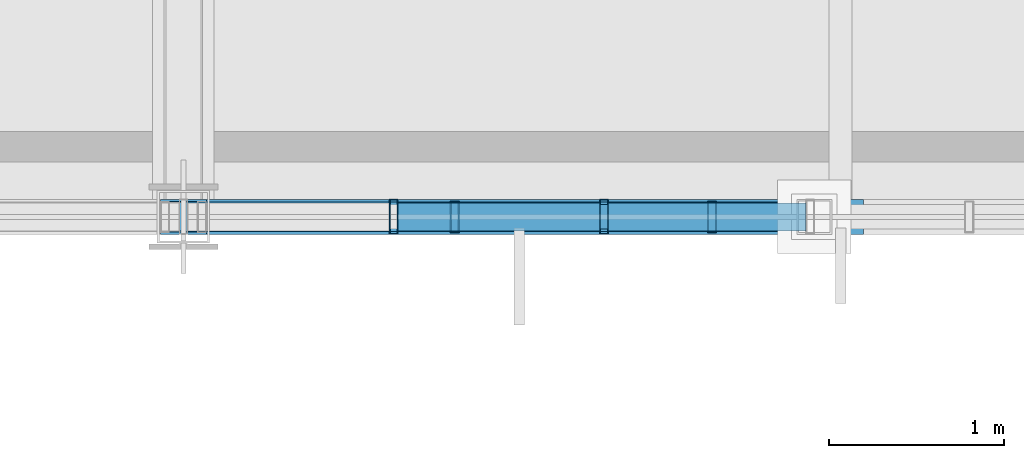
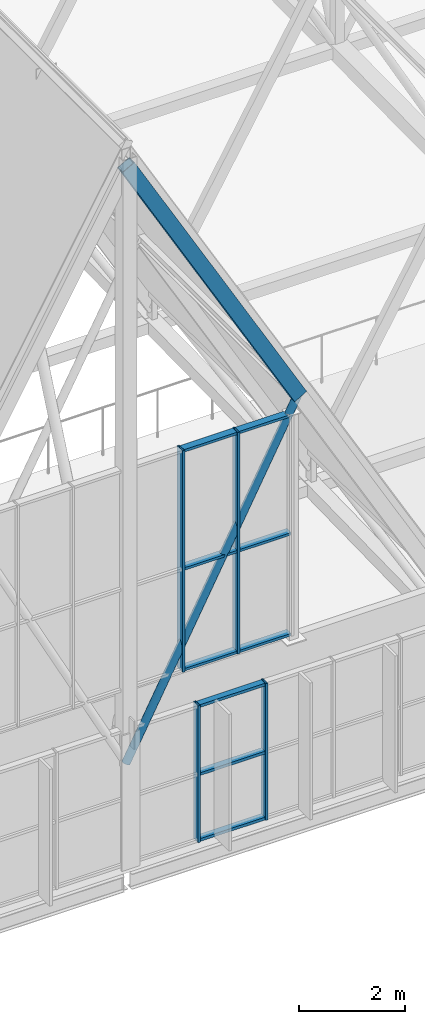
# One storey, part 128 of 324: 15 members, 2 elements without a shape of their own.
"""IFC4 building model written with IfcOpenShell, lengths in metres."""

import ifcopenshell
import ifcopenshell.guid

model = None  # the IFC model being written
_history = None  # IfcOwnerHistory: only IFC2X3 demands one
_inside = {}  # id of a spatial element -> (the spatial element, [elements in it])
_under = {}  # id of a project, library or spatial element -> (it, [spatial elements below it])
_declared = {}  # id of a project -> (the project, [libraries it declares])
_typed = {}  # id of a type object -> (the type object, [elements of that type])
_made_of = {}  # id of a material, layer set ... -> (it, [elements and type objects made of it])


def new_model(schema):
    """Start an empty IFC model of exactly this schema.

    Asked for "IFC4X3", IfcOpenShell would pick the latest addendum, in which some entities
    have other attributes; the version numbers below select the first issue.
    IFC2X3 requires an IfcOwnerHistory on every rooted entity: one is made here for all.
    """
    global model, _history
    if schema == "IFC4X3":
        model = ifcopenshell.file(schema_version=(4, 3, 0, 0))
    else:
        model = ifcopenshell.file(schema=schema)
    _inside.clear()
    _under.clear()
    _declared.clear()
    _typed.clear()
    _made_of.clear()
    _history = None
    if model.schema == "IFC2X3":
        org = make("IfcOrganization", Name="unknown")
        user = make(
            "IfcPersonAndOrganization",
            ThePerson=make("IfcPerson", FamilyName="unknown"),
            TheOrganization=org,
        )
        app = make(
            "IfcApplication",
            ApplicationDeveloper=org,
            Version="unknown",
            ApplicationFullName="unknown",
            ApplicationIdentifier="unknown",
        )
        _history = make(
            "IfcOwnerHistory",
            OwningUser=user,
            OwningApplication=app,
            ChangeAction="ADDED",
            CreationDate=0,
        )
    return model


def make(cls, **values):
    """One entity of the class cls with the attributes given. An attribute that is None is left unset."""
    return model.create_entity(
        cls, **{name: value for name, value in values.items() if value is not None}
    )


def rooted(cls, **values):
    """An entity with a GlobalId (a new one), such as an element, a storey or a relation."""
    return make(cls, GlobalId=ifcopenshell.guid.new(), OwnerHistory=_history, **values)


def si_unit(unit_type, name, prefix=None):
    """IfcSIUnit, for example si_unit("LENGTHUNIT", "METRE", prefix="MILLI")."""
    return make("IfcSIUnit", UnitType=unit_type, Prefix=prefix, Name=name)


def assignment(units):
    """IfcUnitAssignment: the units of a project."""
    return None if units is None else make("IfcUnitAssignment", Units=units)


def point(xyz):
    """IfcCartesianPoint."""
    return None if xyz is None else make("IfcCartesianPoint", Coordinates=xyz)


def direction(xyz):
    """IfcDirection."""
    return None if xyz is None else make("IfcDirection", DirectionRatios=xyz)


def frame(location, z_axis=None, x_axis=None):
    """IfcAxis2Placement3D, a coordinate frame: its origin and axes. An axis left out is left unset."""
    return make(
        "IfcAxis2Placement3D",
        Location=point(location),
        Axis=direction(z_axis),
        RefDirection=direction(x_axis),
    )


def frame_2d(location, x_axis=None):
    """IfcAxis2Placement2D, a coordinate frame in the plane: its origin and x axis."""
    return make(
        "IfcAxis2Placement2D", Location=point(location), RefDirection=direction(x_axis)
    )


def origin():
    """The frame at (0, 0, 0) with its axes left unset."""
    return frame((0.0, 0.0, 0.0))


def origin_2d():
    """The frame at (0, 0) in the plane with its x axis left unset."""
    return frame_2d((0.0, 0.0))


def place(relative_to, where):
    """IfcLocalPlacement: puts the frame where relative to a parent placement (None: the world)."""
    return make(
        "IfcLocalPlacement", PlacementRelTo=relative_to, RelativePlacement=where
    )


def context(
    kind, dimensions, precision=None, world=None, true_north=None, identifier=None
):
    """IfcGeometricRepresentationContext, for example the 3D "Model" context."""
    return make(
        "IfcGeometricRepresentationContext",
        ContextIdentifier=identifier,
        ContextType=kind,
        CoordinateSpaceDimension=dimensions,
        Precision=precision,
        WorldCoordinateSystem=world,
        TrueNorth=true_north,
    )


def subcontext(parent, identifier, kind, view, scale=None):
    """IfcGeometricRepresentationSubContext, for example "Body" below "Model"."""
    return make(
        "IfcGeometricRepresentationSubContext",
        ContextIdentifier=identifier,
        ContextType=kind,
        ParentContext=parent,
        TargetScale=scale,
        TargetView=view,
    )


def project(units=None, contexts=None):
    """IfcProject with its units and contexts."""
    return rooted(
        "IfcProject",
        Name="project",
        RepresentationContexts=contexts,
        UnitsInContext=assignment(units),
    )


def spatial(cls, under=None, at=None, **own):
    """A site, building, storey or space (cls), placed at a placement, below another one or the project."""
    s = rooted(cls, ObjectPlacement=at, **own)
    if under is not None:
        _under.setdefault(under.id(), (under, []))[1].append(s)
    return s


def profile(cls, at=None, kind="AREA", **sizes):
    """A parametric profile (cls). Its sizes go by their IFC names, for example OverallWidth=200.0."""
    return make(cls, ProfileType=kind, Position=at, **sizes)


def hollow_rectangle(**sizes):
    """IfcRectangleHollowProfileDef."""
    return profile("IfcRectangleHollowProfileDef", **sizes)


def hollow_circle(**sizes):
    """IfcCircleHollowProfileDef."""
    return profile("IfcCircleHollowProfileDef", **sizes)


def extrude(swept, where, along, depth):
    """IfcExtrudedAreaSolid: the profile swept, set in the frame where, extruded along a direction by depth."""
    return make(
        "IfcExtrudedAreaSolid",
        SweptArea=swept,
        Position=where,
        ExtrudedDirection=direction(along),
        Depth=depth,
    )


def shape(context_of_items, identifier, shape_type, items):
    """IfcShapeRepresentation: the items that make up one representation, for example the "Body"."""
    return make(
        "IfcShapeRepresentation",
        ContextOfItems=context_of_items,
        RepresentationIdentifier=identifier,
        RepresentationType=shape_type,
        Items=items,
    )


def material(Name=None, Category=None):
    """IfcMaterial."""
    return make("IfcMaterial", Name=Name, Category=Category)


def layer(
    of_material, thickness, ventilated=None, Name=None, Category=None, Priority=None
):
    """IfcMaterialLayer: one layer of a wall or slab, of a material (None: an air gap)."""
    return make(
        "IfcMaterialLayer",
        Material=of_material,
        LayerThickness=thickness,
        IsVentilated=ventilated,
        Name=Name,
        Category=Category,
        Priority=Priority,
    )


def layer_set(layers, Name=None):
    """IfcMaterialLayerSet."""
    return make("IfcMaterialLayerSet", MaterialLayers=layers, LayerSetName=Name)


def material_profile(
    of_material, cross_section, Name=None, Category=None, Priority=None
):
    """IfcMaterialProfile: a cross section and its material."""
    return make(
        "IfcMaterialProfile",
        Name=Name,
        Material=of_material,
        Profile=cross_section,
        Priority=Priority,
        Category=Category,
    )


def profile_set(profiles, Name=None, composite=None):
    """IfcMaterialProfileSet."""
    return make(
        "IfcMaterialProfileSet",
        Name=Name,
        MaterialProfiles=profiles,
        CompositeProfile=composite,
    )


def made_of(thing, what):
    """Note that an element or type object is made of a material, layer set ...; save() writes the relation."""
    if what is not None:
        _made_of.setdefault(what.id(), (what, []))[1].append(thing)
    return thing


def type_object(cls, material=None, **own):
    """A type object (cls), such as IfcWallType, which elements share."""
    return made_of(rooted(cls, **own), material)


def element(
    cls,
    number,
    at=None,
    inside=None,
    cuts=None,
    type_object=None,
    material=None,
    context=None,
    identifier="Body",
    shape_type=None,
    held_by="IfcProductDefinitionShape",
    body=None,
    shapes=None,
    **own,
):
    """One element of the class cls, such as IfcWall. Its Tag is "e" and its number.

    at: its placement. inside: the storey or other place that contains it. cuts: it is an
    opening in that element (IfcRelVoidsElement). A single representation is given by context,
    identifier, shape_type and body (its items); several are given by shapes. held_by: the class
    of the entity that holds the representations. save() writes the other relations.
    """
    e = rooted(cls, Tag="e%d" % number, ObjectPlacement=at, **own)
    if body is not None:
        shapes = [shape(context, identifier, shape_type, body)]
    if shapes is not None:
        e.Representation = make(held_by, Representations=shapes)
    if inside is not None:
        _inside.setdefault(inside.id(), (inside, []))[1].append(e)
    if cuts is not None:
        rooted(
            "IfcRelVoidsElement", RelatingBuildingElement=cuts, RelatedOpeningElement=e
        )
    if type_object is not None:
        _typed.setdefault(type_object.id(), (type_object, []))[1].append(e)
    return made_of(e, material)


def aggregate(whole, parts):
    """IfcRelAggregates: a whole, such as a stair, and the parts it consists of."""
    return rooted("IfcRelAggregates", RelatingObject=whole, RelatedObjects=parts)


def save(model, path):
    """Write the relations noted so far, then the file.

    IfcRelAggregates (storeys below a building ...), IfcRelContainedInSpatialStructure (elements
    in a storey), IfcRelDefinesByType, IfcRelAssociatesMaterial and IfcRelDeclares: one each for
    every whole, place, type object, material and project.
    """
    for whole, parts in _under.values():
        aggregate(whole, parts)
    for where, things in _inside.values():
        rooted(
            "IfcRelContainedInSpatialStructure",
            RelatedElements=things,
            RelatingStructure=where,
        )
    for kind, things in _typed.values():
        rooted("IfcRelDefinesByType", RelatedObjects=things, RelatingType=kind)
    for what, things in _made_of.values():
        rooted("IfcRelAssociatesMaterial", RelatedObjects=things, RelatingMaterial=what)
    for by, libraries in _declared.values():
        rooted("IfcRelDeclares", RelatingContext=by, RelatedDefinitions=libraries)
    model.write(path)


model = new_model("IFC4")

# Units and contexts
model_context = context("Model", 3, precision=1e-05, world=origin(), true_north=direction((0.0, 1.0)))
body_context = subcontext(model_context, "Body", "Model", "MODEL_VIEW")
ifc_project = project(units=[si_unit("LENGTHUNIT", "METRE"), si_unit("AREAUNIT", "SQUARE_METRE"), si_unit("VOLUMEUNIT", "CUBIC_METRE"), si_unit("PLANEANGLEUNIT", "RADIAN"), si_unit("MASSUNIT", "GRAM", prefix="KILO")], contexts=[model_context])

# Site, building, storey
site_placement = place(None, origin())
site = spatial("IfcSite", under=ifc_project, at=site_placement, CompositionType="ELEMENT")
building_placement = place(site_placement, origin())
building = spatial("IfcBuilding", under=site, at=building_placement, Name="Solvenia Promenade Tram Depot", CompositionType="ELEMENT")
storey_placement = place(building_placement, frame((0.0, 0.0, 4.5)))
storey = spatial("IfcBuildingStorey", under=building, at=storey_placement, Name="L01", CompositionType="ELEMENT", Elevation=4.5)

# Curtain wall, members
ifc_material_1 = material(Name="Anodized aluminium AW-6063 T6", Category="aluminium")
ifc_layer_1 = layer(ifc_material_1, 0.159912109375, Name="Anodized aluminium AW-6063 T6", Category="aluminium")
ifc_layer_set_1 = layer_set([ifc_layer_1], Name="Anodized aluminium AW-6063 T6")
curtain_wall_type_1 = type_object("IfcCurtainWallType", Name="CW-Channel-1500", PredefinedType="NOTDEFINED", material=ifc_layer_set_1)
curtain_wall_1_placement = place(storey_placement, origin())
curtain_wall_1 = element("IfcCurtainWall", 1, at=curtain_wall_1_placement, inside=storey, type_object=curtain_wall_type_1, Name="Curtain Wall CW-V1S1-06", PredefinedType="NOTDEFINED")
ifc_material_profile_1 = material_profile(ifc_material_1, hollow_rectangle(XDim=0.179931640625, YDim=0.050048828125, WallThickness=0.00390625, at=origin_2d()), Name="ALU-M2", Category="aluminium")
ifc_profile_set_1 = profile_set([ifc_material_profile_1], Name="Anodized aluminium AW-6063 T6")
member_type_1 = type_object("IfcMemberType", Name="CWM-Mullion-2", PredefinedType="MULLION", material=ifc_profile_set_1)
member_1_placement = place(storey_placement, frame((84.048095703125, 66.0, 0.0), z_axis=(0.0, 0.0, 1.0), x_axis=(0.0, 1.0, 0.0)))
member_1 = element("IfcMember", 2, at=member_1_placement, type_object=member_type_1, Name="CW-2 mullion 2", PredefinedType="MULLION", context=body_context, shape_type="SweptSolid", body=[
    extrude(hollow_rectangle(XDim=0.179931640625, YDim=0.050048828125, WallThickness=0.00390625, at=origin_2d()), origin(), (0.0, 0.0, 1.0), 3.14990234375),
])
member_2_placement = place(storey_placement, frame((85.51611328125, 66.0, 0.0), z_axis=(0.0, 0.0, 1.0), x_axis=(0.0, 1.0, 0.0)))
member_2 = element("IfcMember", 3, at=member_2_placement, type_object=member_type_1, Name="CW-2 mullion 3", PredefinedType="MULLION", context=body_context, shape_type="SweptSolid", body=[
    extrude(hollow_rectangle(XDim=0.179931640625, YDim=0.050048828125, WallThickness=0.00390625, at=origin_2d()), origin(), (0.0, 0.0, 1.0), 3.14990234375),
])

ifc_layer_2 = layer(ifc_material_1, 0.14990234375, Name="Anodized aluminium AW-6063 T6", Category="aluminium")
ifc_layer_set_2 = layer_set([ifc_layer_2], Name="Anodized aluminium AW-6063 T6")
curtain_wall_type_2 = type_object("IfcCurtainWallType", Name="CW-Gable-1200", PredefinedType="NOTDEFINED", material=ifc_layer_set_2)
curtain_wall_2_placement = place(storey_placement, origin())
curtain_wall_2 = element("IfcCurtainWall", 4, at=curtain_wall_2_placement, inside=storey, type_object=curtain_wall_type_2, Name="South Zigzag Gable 06 Peak Glazing", PredefinedType="NOTDEFINED")
ifc_material_profile_2 = material_profile(ifc_material_1, hollow_rectangle(XDim=0.199951171875, YDim=0.048095703125, WallThickness=0.00390625, at=origin_2d()), Name="ALU-M3", Category="aluminium")
ifc_profile_set_2 = profile_set([ifc_material_profile_2], Name="Anodized aluminium AW-6063 T6")
member_type_2 = type_object("IfcMemberType", Name="CWM-Mullion-3", PredefinedType="MULLION", material=ifc_profile_set_2)
member_3_placement = place(storey_placement, frame((83.699951171875, 66.0, 4.050048828125), z_axis=(0.0, 0.0, 1.0), x_axis=(0.0, 1.0, 0.0)))
member_3 = element("IfcMember", 5, at=member_3_placement, type_object=member_type_2, Name="CW-3 mullion 5", PredefinedType="MULLION", context=body_context, shape_type="SweptSolid", body=[
    extrude(hollow_rectangle(XDim=0.199951171875, YDim=0.048095703125, WallThickness=0.00390625, at=origin_2d()), origin(), (0.0, 0.0, 1.0), 5.099853515625),
])
member_4_placement = place(storey_placement, frame((84.89990234375, 66.0, 4.050048828125), z_axis=(0.0, 0.0, 1.0), x_axis=(0.0, 1.0, 0.0)))
member_4 = element("IfcMember", 6, at=member_4_placement, type_object=member_type_2, Name="CW-3 mullion 6", PredefinedType="MULLION", context=body_context, shape_type="SweptSolid", body=[
    extrude(hollow_rectangle(XDim=0.199951171875, YDim=0.048095703125, WallThickness=0.00390625, at=origin_2d()), origin(), (0.0, 0.0, 1.0), 5.099853515625),
])

# Member
ifc_material_profile_3 = material_profile(ifc_material_1, hollow_rectangle(XDim=0.139892578125, YDim=0.06494140625, WallThickness=0.00390625, at=origin_2d()), Name="ALU-T2", Category="aluminium")
ifc_profile_set_3 = profile_set([ifc_material_profile_3], Name="Anodized aluminium AW-6063 T6")
member_type_3 = type_object("IfcMemberType", Name="CWT-Transom-2", PredefinedType="USERDEFINED", material=ifc_profile_set_3)
member_5_placement = place(storey_placement, frame((84.072998046875, 66.0, 0.032470703125), z_axis=(1.0, 0.0, 0.0), x_axis=(0.0, 1.0, 0.0)))
member_5 = element("IfcMember", 7, at=member_5_placement, type_object=member_type_3, Name="CW-2 transom 2.1", ObjectType="TRANSOM", PredefinedType="USERDEFINED", context=body_context, shape_type="SweptSolid", body=[
    extrude(hollow_rectangle(XDim=0.139892578125, YDim=0.06494140625, WallThickness=0.00390625, at=origin_2d()), origin(), (0.0, 0.0, 1.0), 1.41796875),
])

member_6_placement = place(storey_placement, frame((84.072998046875, 66.0, 1.550048828125), z_axis=(1.0, 0.0, 0.0), x_axis=(0.0, 1.0, 0.0)))
member_6 = element("IfcMember", 8, at=member_6_placement, type_object=member_type_3, Name="CW-2 transom 2.2", ObjectType="TRANSOM", PredefinedType="USERDEFINED", context=body_context, shape_type="SweptSolid", body=[
    extrude(hollow_rectangle(XDim=0.139892578125, YDim=0.06494140625, WallThickness=0.00390625, at=origin_2d()), origin(), (0.0, 0.0, 1.0), 1.41796875),
])

member_7_placement = place(storey_placement, frame((84.072998046875, 66.0, 3.117431640625), z_axis=(1.0, 0.0, 0.0), x_axis=(0.0, 1.0, 0.0)))
member_7 = element("IfcMember", 9, at=member_7_placement, type_object=member_type_3, Name="CW-2 transom 2.3", ObjectType="TRANSOM", PredefinedType="USERDEFINED", context=body_context, shape_type="SweptSolid", body=[
    extrude(hollow_rectangle(XDim=0.139892578125, YDim=0.06494140625, WallThickness=0.00390625, at=origin_2d()), origin(), (0.0, 0.0, 1.0), 1.41796875),
])

aggregate(curtain_wall_1, [member_1, member_2, member_5, member_6, member_7])

ifc_material_profile_4 = material_profile(ifc_material_1, hollow_rectangle(XDim=0.159912109375, YDim=0.05810546875, WallThickness=0.00390625, at=origin_2d()), Name="ALU-T3", Category="aluminium")
ifc_profile_set_4 = profile_set([ifc_material_profile_4], Name="Anodized aluminium AW-6063 T6")
member_type_4 = type_object("IfcMemberType", Name="CWT-Transom-3", PredefinedType="USERDEFINED", material=ifc_profile_set_4)
member_8_placement = place(storey_placement, frame((83.72412109375, 66.0, 4.0791015625), z_axis=(1.0, 0.0, 0.0), x_axis=(0.0, 1.0, 0.0)))
member_8 = element("IfcMember", 10, at=member_8_placement, type_object=member_type_4, Name="CW-3 transom 5.1", ObjectType="TRANSOM", PredefinedType="USERDEFINED", context=body_context, shape_type="SweptSolid", body=[
    extrude(hollow_rectangle(XDim=0.159912109375, YDim=0.05810546875, WallThickness=0.00390625, at=origin_2d()), origin(), (0.0, 0.0, 1.0), 1.15185546875),
])

member_9_placement = place(storey_placement, frame((83.72412109375, 66.0, 6.39990234375), z_axis=(1.0, 0.0, 0.0), x_axis=(0.0, 1.0, 0.0)))
member_9 = element("IfcMember", 11, at=member_9_placement, type_object=member_type_4, Name="CW-3 transom 5.2", ObjectType="TRANSOM", PredefinedType="USERDEFINED", context=body_context, shape_type="SweptSolid", body=[
    extrude(hollow_rectangle(XDim=0.159912109375, YDim=0.05810546875, WallThickness=0.00390625, at=origin_2d()), origin(), (0.0, 0.0, 1.0), 1.15185546875),
])

member_10_placement = place(storey_placement, frame((83.72412109375, 66.0, 9.12109375), z_axis=(1.0, 0.0, 0.0), x_axis=(0.0, 1.0, 0.0)))
member_10 = element("IfcMember", 12, at=member_10_placement, type_object=member_type_4, Name="CW-3 transom 5.3", ObjectType="TRANSOM", PredefinedType="USERDEFINED", context=body_context, shape_type="SweptSolid", body=[
    extrude(hollow_rectangle(XDim=0.159912109375, YDim=0.05810546875, WallThickness=0.00390625, at=origin_2d()), origin(), (0.0, 0.0, 1.0), 1.15185546875),
])

member_11_placement = place(storey_placement, frame((84.924072265625, 66.0, 4.0791015625), z_axis=(1.0, 0.0, 0.0), x_axis=(0.0, 1.0, 0.0)))
member_11 = element("IfcMember", 13, at=member_11_placement, type_object=member_type_4, Name="CW-3 transom 6.1", ObjectType="TRANSOM", PredefinedType="USERDEFINED", context=body_context, shape_type="SweptSolid", body=[
    extrude(hollow_rectangle(XDim=0.159912109375, YDim=0.05810546875, WallThickness=0.00390625, at=origin_2d()), origin(), (0.0, 0.0, 1.0), 1.1279296875),
])

member_12_placement = place(storey_placement, frame((84.924072265625, 66.0, 6.39990234375), z_axis=(1.0, 0.0, 0.0), x_axis=(0.0, 1.0, 0.0)))
member_12 = element("IfcMember", 14, at=member_12_placement, type_object=member_type_4, Name="CW-3 transom 6.2", ObjectType="TRANSOM", PredefinedType="USERDEFINED", context=body_context, shape_type="SweptSolid", body=[
    extrude(hollow_rectangle(XDim=0.159912109375, YDim=0.05810546875, WallThickness=0.00390625, at=origin_2d()), origin(), (0.0, 0.0, 1.0), 1.1279296875),
])

member_13_placement = place(storey_placement, frame((84.924072265625, 66.0, 9.12109375), z_axis=(1.0, 0.0, 0.0), x_axis=(0.0, 1.0, 0.0)))
member_13 = element("IfcMember", 15, at=member_13_placement, type_object=member_type_4, Name="CW-3 transom 6.3", ObjectType="TRANSOM", PredefinedType="USERDEFINED", context=body_context, shape_type="SweptSolid", body=[
    extrude(hollow_rectangle(XDim=0.159912109375, YDim=0.05810546875, WallThickness=0.00390625, at=origin_2d()), origin(), (0.0, 0.0, 1.0), 1.1279296875),
])

aggregate(curtain_wall_2, [member_3, member_4, member_8, member_9, member_10, member_11, member_12, member_13])

# Members
ifc_material_2 = material(Name="Structural steel ASTM A500 Gr. C", Category="steel")
ifc_material_profile_5 = material_profile(ifc_material_2, hollow_rectangle(XDim=0.199951171875, YDim=0.300048828125, WallThickness=0.012451171875, at=origin_2d()), Name="HSS300x200x12.5", Category="steel")
ifc_profile_set_5 = profile_set([ifc_material_profile_5], Name="Structural steel ASTM A500 Gr. C")
member_type_5 = type_object("IfcMemberType", Name="Chord-HSS300x200x12", PredefinedType="CHORD", material=ifc_profile_set_5)
member_14_placement = place(storey_placement, frame((82.5, 66.0, 16.086181640625), z_axis=(0.494861595532, 0.0, -0.868971806946), x_axis=(0.0, 1.0, 0.0)))
element("IfcMember", 16, at=member_14_placement, inside=storey, type_object=member_type_5, Name="Zigzag Gable 06 East Upper Rafter", PredefinedType="CHORD", context=body_context, shape_type="SweptSolid", body=[
    extrude(hollow_rectangle(XDim=0.199951171875, YDim=0.300048828125, WallThickness=0.012451171875, at=origin_2d()), origin(), (0.0, 0.0, 1.0), 7.577880859375),
])
ifc_material_profile_6 = material_profile(ifc_material_2, hollow_circle(Radius=0.084228515625, WallThickness=0.008056640625, at=origin_2d()), Name="CHS168.3x8", Category="steel")
ifc_profile_set_6 = profile_set([ifc_material_profile_6], Name="Structural steel ASTM A500 Gr. C")
member_type_6 = type_object("IfcMemberType", Name="WebDiag-CHS168x8", PredefinedType="BRACE", material=ifc_profile_set_6)
member_15_placement = place(storey_placement, frame((82.5, 66.0, 2.320068359375), z_axis=(0.462887306423, 0.0, 0.886417137443), x_axis=(0.0, 1.0, 0.0)))
element("IfcMember", 17, at=member_15_placement, inside=storey, type_object=member_type_6, Name="Zigzag Gable 06 East Knee Strut", PredefinedType="BRACE", context=body_context, shape_type="SweptSolid", body=[
    extrude(hollow_circle(Radius=0.084228515625, WallThickness=0.008056640625, at=origin_2d()), origin(), (0.0, 0.0, 1.0), 8.101318359375),
])

save(model, "model.ifc")
